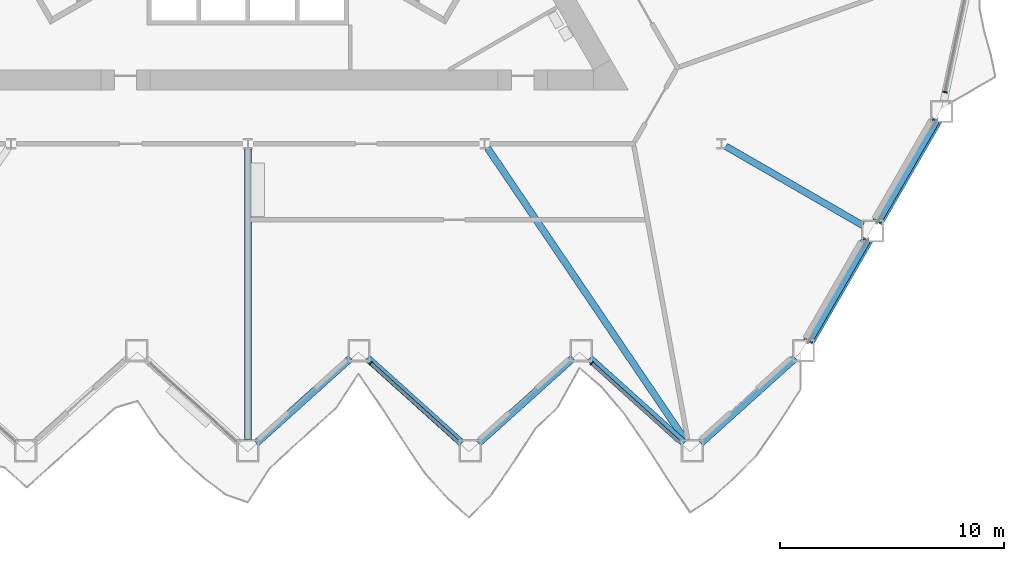
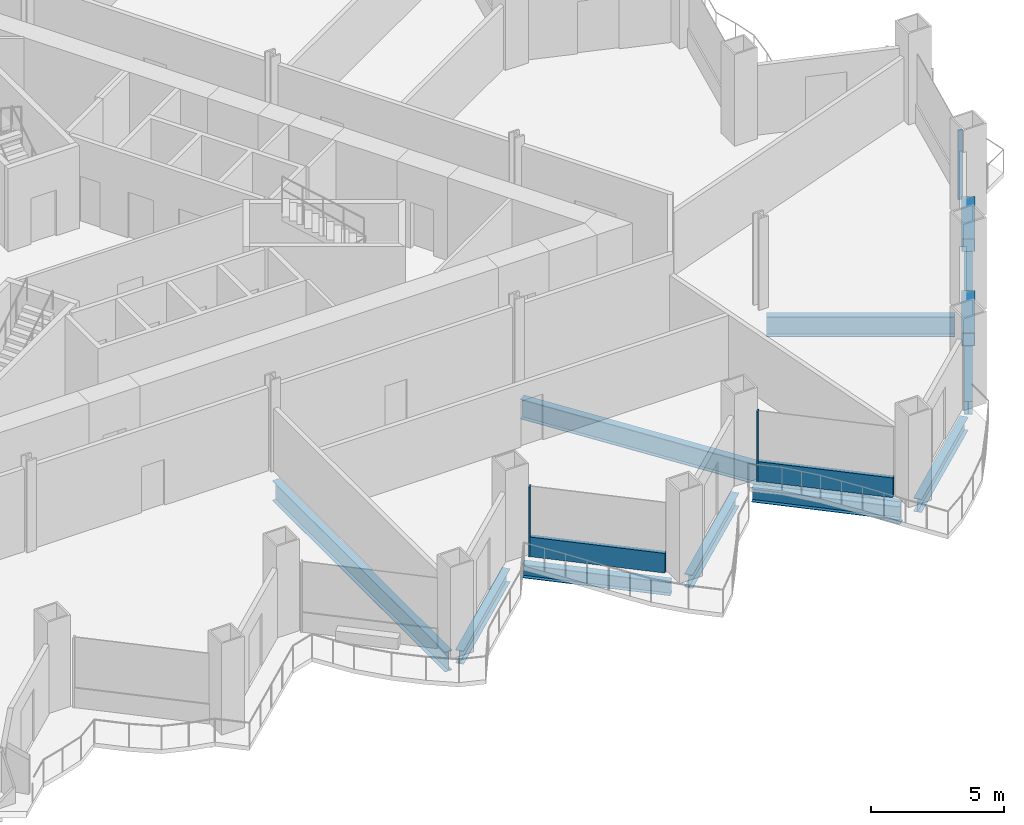
# One storey, part 4 of 21: 10 beams, 7 members, 3 elements without a shape of their own.
"""IFC4 building model written with IfcOpenShell, lengths in metres."""

from ifc_helpers import new_model, si_unit, direction, frame, origin, origin_2d, place, context, subcontext, project, spatial, rectangle, hollow_rectangle, i_section, extrude, material, layer, layer_set, material_profile, profile_set, type_object, element, aggregate, save


model = new_model("IFC4")

# Units and contexts
model_context = context("Model", 3, precision=1e-05, world=origin(), true_north=direction((0.0, 1.0)))
body_context = subcontext(model_context, "Body", "Model", "MODEL_VIEW")
ifc_project = project(units=[si_unit("LENGTHUNIT", "METRE"), si_unit("AREAUNIT", "SQUARE_METRE"), si_unit("VOLUMEUNIT", "CUBIC_METRE"), si_unit("PLANEANGLEUNIT", "RADIAN"), si_unit("MASSUNIT", "GRAM", prefix="KILO")], contexts=[model_context])

# Site, building, storey
site_placement = place(None, origin())
site = spatial("IfcSite", under=ifc_project, at=site_placement, CompositionType="ELEMENT")
building_placement = place(site_placement, origin())
building = spatial("IfcBuilding", under=site, at=building_placement, Name="Cormorant Prow Tower", CompositionType="ELEMENT")
storey_placement = place(building_placement, frame((0.0, 0.0, 76.199951171875)))
storey = spatial("IfcBuildingStorey", under=building, at=storey_placement, Name="L16", CompositionType="ELEMENT", Elevation=76.199951171875)

# Members
ifc_material_1 = material(Name="Structural steel ASTM A500 Gr C", Category="steel")
ifc_material_profile_1 = material_profile(ifc_material_1, hollow_rectangle(XDim=0.508056640625, YDim=0.508056640625, WallThickness=0.014892578125, at=origin_2d()), Name="HSS20x20x5/8")
ifc_profile_set_1 = profile_set([ifc_material_profile_1], Name="Structural steel ASTM A500 Gr C")
member_type_1 = type_object("IfcMemberType", Name="Chamfer brace HSS20x20x5/8", PredefinedType="BRACE", material=ifc_profile_set_1)
for number, where, z_axis, x_axis, name in (
    (1, (27.65576171875, -16.566162109375, 0.767333984375), (-0.475899695849, -0.824255918841, 0.306792535351), (0.866018434186, -0.500012071504, 0.0), "Chamfer brace BR1 at ESE00 L16"),
    (2, (30.74072265625, -11.222900390625, 0.767333984375), (-0.475881936113, -0.824270433724, 0.306781086395), (0.866030326616, -0.499991473309, 0.0), "Chamfer brace BR1 at ESE01 L16"),
):
    element("IfcMember", number, at=place(storey_placement, frame(where, z_axis=z_axis, x_axis=x_axis)), inside=storey, type_object=member_type_1, Name=name, PredefinedType="BRACE", context=body_context, shape_type="SweptSolid", body=[
        extrude(hollow_rectangle(XDim=0.508056640625, YDim=0.508056640625, WallThickness=0.014892578125, at=origin_2d()), origin(), (0.0, 0.0, 1.0), 5.392333984375),
    ])

# Curtain wall, member
ifc_material_2 = material(Name="Aluminium 6063-T6", Category="aluminium")
ifc_layer = layer(ifc_material_2, 0.199951171875)
ifc_layer_set = layer_set([ifc_layer], Name="Aluminium 6063-T6")
curtain_wall_type = type_object("IfcCurtainWallType", Name="Office unitised curtain wall 200", PredefinedType="NOTDEFINED", material=ifc_layer_set)
curtain_wall_1_placement = place(storey_placement, origin())
curtain_wall_1 = element("IfcCurtainWall", 3, at=curtain_wall_1_placement, inside=storey, type_object=curtain_wall_type, Name="Office curtain wall S06", PredefinedType="NOTDEFINED")
ifc_material_3 = material(Name="Aluminium 6063-T6", Category="aluminium")
ifc_material_profile_2 = material_profile(ifc_material_3, rectangle(XDim=0.199951171875, YDim=0.06005859375, at=origin_2d()), Name="Office mullion 60x200")
ifc_profile_set_2 = profile_set([ifc_material_profile_2], Name="Aluminium 6063-T6")
member_type_2 = type_object("IfcMemberType", Name="Office mullion 60x200", PredefinedType="MULLION", material=ifc_profile_set_2)
member_1_placement = place(storey_placement, frame((5.485107421875, -22.0244140625, 0.0), z_axis=(0.0, 0.0, 1.0), x_axis=(0.669130543712, 0.743144881885, 0.0)))
member_1 = element("IfcMember", 4, at=member_1_placement, type_object=member_type_2, Name="Office mullion S06", PredefinedType="MULLION", context=body_context, shape_type="SweptSolid", body=[
    extrude(rectangle(XDim=0.199951171875, YDim=0.06005859375, at=origin_2d()), origin(), (0.0, 0.0, 1.0), 3.18896484375),
])

curtain_wall_2_placement = place(storey_placement, origin())
curtain_wall_2 = element("IfcCurtainWall", 5, at=curtain_wall_2_placement, inside=storey, type_object=curtain_wall_type, Name="Office curtain wall S08", PredefinedType="NOTDEFINED")
member_2_placement = place(storey_placement, frame((15.365966796875, -22.0244140625, 0.0), z_axis=(0.0, 0.0, 1.0), x_axis=(0.669130543712, 0.743144881885, 0.0)))
member_2 = element("IfcMember", 6, at=member_2_placement, type_object=member_type_2, Name="Office mullion S08", PredefinedType="MULLION", context=body_context, shape_type="SweptSolid", body=[
    extrude(rectangle(XDim=0.199951171875, YDim=0.06005859375, at=origin_2d()), origin(), (0.0, 0.0, 1.0), 3.18896484375),
])

curtain_wall_3_placement = place(storey_placement, origin())
curtain_wall_3 = element("IfcCurtainWall", 7, at=curtain_wall_3_placement, inside=storey, type_object=curtain_wall_type, Name="Office curtain wall ENE00", PredefinedType="NOTDEFINED")
member_3_placement = place(storey_placement, frame((31.15234375, -9.90869140625, 0.0), z_axis=(0.0, 0.0, 1.0), x_axis=(-0.978147594021, 0.207911722401, 0.0)))
member_3 = element("IfcMember", 8, at=member_3_placement, type_object=member_type_2, Name="Office mullion ENE00", PredefinedType="MULLION", context=body_context, shape_type="SweptSolid", body=[
    extrude(rectangle(XDim=0.199951171875, YDim=0.06005859375, at=origin_2d()), origin(), (0.0, 0.0, 1.0), 3.18896484375),
])
aggregate(curtain_wall_3, [member_3])

# Member
ifc_material_4 = material(Name="Terracotta", Category="masonry")
ifc_material_profile_3 = material_profile(ifc_material_4, rectangle(XDim=0.159912109375, YDim=0.89990234375, at=origin_2d()), Name="Office terracotta spandrel rail 160x900")
ifc_profile_set_3 = profile_set([ifc_material_profile_3], Name="Terracotta")
member_type_3 = type_object("IfcMemberType", Name="Office terracotta spandrel rail 160x900", PredefinedType="USERDEFINED", material=ifc_profile_set_3)
member_4_placement = place(storey_placement, frame((5.507568359375, -22.04443359375, 0.449951171875), z_axis=(0.743123107332, -0.669154726015, 0.0), x_axis=(0.669154726015, 0.743123107332, 0.0)))
member_4 = element("IfcMember", 9, at=member_4_placement, type_object=member_type_3, Name="Office spandrel rail S06", ObjectType="TRANSOM", PredefinedType="USERDEFINED", context=body_context, shape_type="SweptSolid", body=[
    extrude(rectangle(XDim=0.159912109375, YDim=0.89990234375, at=origin_2d()), origin(), (0.0, 0.0, 1.0), 5.181884765625),
])

aggregate(curtain_wall_1, [member_1, member_4])

member_5_placement = place(storey_placement, frame((15.388427734375, -22.04443359375, 0.449951171875), z_axis=(0.743123107332, -0.669154726015, 0.0), x_axis=(0.669154726015, 0.743123107332, 0.0)))
member_5 = element("IfcMember", 10, at=member_5_placement, type_object=member_type_3, Name="Office spandrel rail S08", ObjectType="TRANSOM", PredefinedType="USERDEFINED", context=body_context, shape_type="SweptSolid", body=[
    extrude(rectangle(XDim=0.159912109375, YDim=0.89990234375, at=origin_2d()), origin(), (0.0, 0.0, 1.0), 5.181884765625),
])

aggregate(curtain_wall_2, [member_2, member_5])

# Beams
ifc_material_5 = material(Name="Structural steel ASTM A992 Gr 50", Category="steel")
ifc_material_profile_4 = material_profile(ifc_material_5, i_section(OverallWidth=0.3046875, OverallDepth=0.914794921875, WebThickness=0.0166015625, FlangeThickness=0.02587890625, at=origin_2d()), Name="W36x160")
ifc_profile_set_4 = profile_set([ifc_material_profile_4], Name="Structural steel ASTM A992 Gr 50")
beam_type_1 = type_object("IfcBeamType", Name="Radial floor beam W36x160", PredefinedType="BEAM", material=ifc_profile_set_4)
beam_1_placement = place(storey_placement, frame((0.0, -12.447265625, -0.857421875), z_axis=(0.0, -1.0, 0.0), x_axis=(1.0, 0.0, 0.0)))
element("IfcBeam", 11, at=beam_1_placement, inside=storey, type_object=beam_type_1, Name="Radial floor beam FB1 7 L16", PredefinedType="BEAM", context=body_context, shape_type="SweptSolid", body=[
    extrude(i_section(OverallWidth=0.3046875, OverallDepth=0.914794921875, WebThickness=0.0166015625, FlangeThickness=0.02587890625, at=origin_2d()), origin(), (0.0, 0.0, 1.0), 12.984130859375),
])
beam_2_placement = place(storey_placement, frame((10.708740234375, -12.4072265625, -0.857421875), z_axis=(0.560597160775, -0.828088656685, 0.0), x_axis=(0.828088656685, 0.560597160775, 0.0)))
element("IfcBeam", 12, at=beam_2_placement, inside=storey, type_object=beam_type_1, Name="Radial floor beam FB1 8 L16", PredefinedType="BEAM", context=body_context, shape_type="SweptSolid", body=[
    extrude(i_section(OverallWidth=0.3046875, OverallDepth=0.914794921875, WebThickness=0.0166015625, FlangeThickness=0.02587890625, at=origin_2d()), origin(), (0.0, 0.0, 1.0), 15.831787109375),
])
beam_3_placement = place(storey_placement, frame((21.358154296875, -12.3310546875, -0.857421875), z_axis=(0.866014253463, -0.500019312426, 0.0), x_axis=(0.500019312426, 0.866014253463, 0.0)))
element("IfcBeam", 13, at=beam_3_placement, inside=storey, type_object=beam_type_1, Name="Radial floor beam FB1 9 L16", PredefinedType="BEAM", context=body_context, shape_type="SweptSolid", body=[
    extrude(i_section(OverallWidth=0.3046875, OverallDepth=0.914794921875, WebThickness=0.0166015625, FlangeThickness=0.02587890625, at=origin_2d()), origin(), (0.0, 0.0, 1.0), 7.071533203125),
])
ifc_material_6 = material(Name="Structural steel ASTM A992 Gr 50", Category="steel")
ifc_material_profile_5 = material_profile(ifc_material_6, i_section(OverallWidth=0.32373046875, OverallDepth=0.611083984375, WebThickness=0.0126953125, FlangeThickness=0.01904296875, at=origin_2d()), Name="W24x104")
ifc_profile_set_5 = profile_set([ifc_material_profile_5], Name="Structural steel ASTM A992 Gr 50")
beam_type_2 = type_object("IfcBeamType", Name="Spandrel beam W24x104", PredefinedType="SPANDREL", material=ifc_profile_set_5)
for number, where, z_axis, x_axis, name in (
    (14, (0.37158203125, -25.596923828125, -0.70556640625), (0.743129630386, 0.669147481833, 0.0), (-0.669147481833, 0.743129630386, 0.0), "Spandrel beam SB1 S05-S06 L16"),
    (15, (5.337646484375, -21.79443359375, -0.70556640625), (0.743129630386, -0.669147481833, 0.0), (0.669147481833, 0.743129630386, 0.0), "Spandrel beam SB1 S06-S07 L16"),
    (16, (10.3037109375, -25.596923828125, -0.70556640625), (0.743129630386, 0.669147481833, 0.0), (-0.669147481833, 0.743129630386, 0.0), "Spandrel beam SB1 S07-S08 L16"),
    (17, (15.269775390625, -21.79443359375, -0.70556640625), (0.743129630386, -0.669147481833, 0.0), (0.669147481833, 0.743129630386, 0.0), "Spandrel beam SB1 S08-S09 L16"),
    (18, (20.23583984375, -25.596923828125, -0.70556640625), (0.743129630386, 0.669147481833, 0.0), (-0.669147481833, 0.743129630386, 0.0), "Spandrel beam SB1 S09-ESE00 L16"),
):
    element("IfcBeam", number, at=place(storey_placement, frame(where, z_axis=z_axis, x_axis=x_axis)), inside=storey, type_object=beam_type_2, Name=name, PredefinedType="SPANDREL", context=body_context, shape_type="SweptSolid", body=[
        extrude(i_section(OverallWidth=0.32373046875, OverallDepth=0.611083984375, WebThickness=0.0126953125, FlangeThickness=0.01904296875, at=origin_2d()), origin(), (0.0, 0.0, 1.0), 5.6826171875),
    ])
for number, where, z_axis, x_axis, name in (
    (19, (25.080322265625, -21.02685546875, -0.70556640625), (0.500019507279, 0.866014140959, 0.0), (-0.866014140959, 0.500019507279, 0.0), "Spandrel beam SB1 ESE00-ESE01 L16"),
    (20, (28.165283203125, -15.683837890625, -0.70556640625), (0.49998408811, 0.866034590324, 0.0), (-0.866034590324, 0.49998408811, 0.0), "Spandrel beam SB1 ESE01-ENE00 L16"),
):
    element("IfcBeam", number, at=place(storey_placement, frame(where, z_axis=z_axis, x_axis=x_axis)), inside=storey, type_object=beam_type_2, Name=name, PredefinedType="SPANDREL", context=body_context, shape_type="SweptSolid", body=[
        extrude(i_section(OverallWidth=0.32373046875, OverallDepth=0.611083984375, WebThickness=0.0126953125, FlangeThickness=0.01904296875, at=origin_2d()), origin(), (0.0, 0.0, 1.0), 5.169677734375),
    ])

save(model, "model.ifc")
